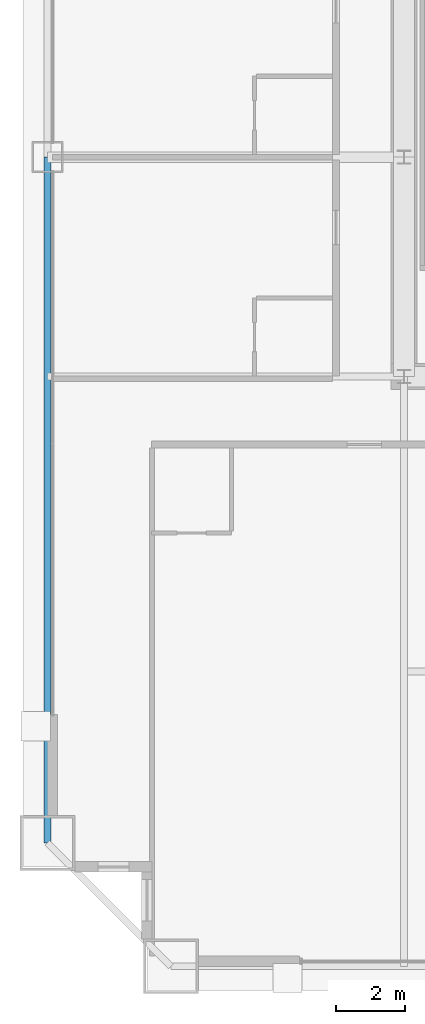
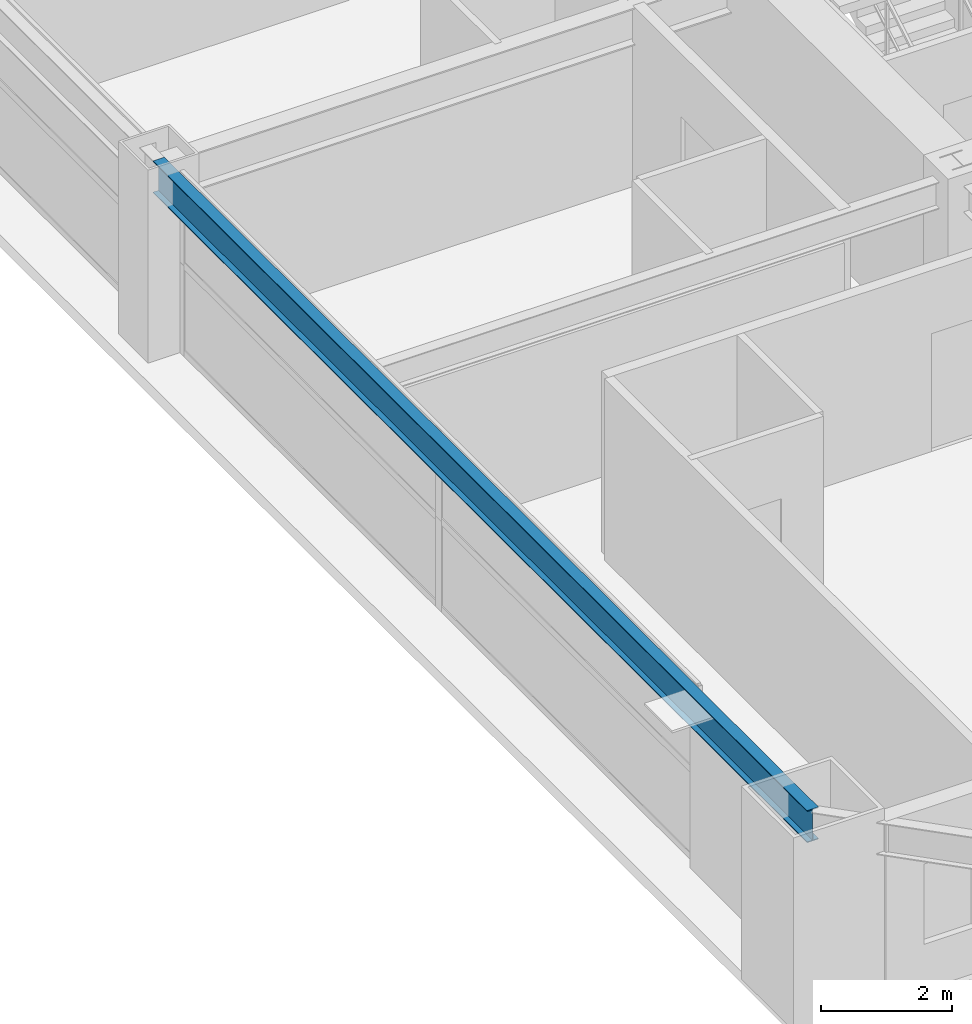
# One storey, part 7 of 39: 1 beam.
"""IFC4 building model written with IfcOpenShell, lengths in metres."""

from ifc_helpers import new_model, si_unit, direction, frame, origin, origin_2d, place, context, subcontext, project, spatial, i_section, extrude, source, transform, mapped, material, material_profile, profile_set, type_object, element, save


model = new_model("IFC4")

# Units and contexts
model_context = context("Model", 3, precision=1e-05, world=origin(), true_north=direction((0.0, 1.0)))
body_context = subcontext(model_context, "Body", "Model", "MODEL_VIEW")
ifc_project = project(units=[si_unit("LENGTHUNIT", "METRE"), si_unit("AREAUNIT", "SQUARE_METRE"), si_unit("VOLUMEUNIT", "CUBIC_METRE"), si_unit("PLANEANGLEUNIT", "RADIAN"), si_unit("MASSUNIT", "GRAM", prefix="KILO"), si_unit("THERMODYNAMICTEMPERATUREUNIT", "KELVIN"), si_unit("POWERUNIT", "WATT")], contexts=[model_context])

# Site, building, storey
site_placement = place(None, origin())
site = spatial("IfcSite", under=ifc_project, at=site_placement, CompositionType="ELEMENT")
building_placement = place(site_placement, origin())
building = spatial("IfcBuilding", under=site, at=building_placement, Name="Yuzanri Waterfront Tower", CompositionType="ELEMENT")
storey_placement = place(building_placement, frame((0.0, 0.0, 134.39990234375)))
storey = spatial("IfcBuildingStorey", under=building, at=storey_placement, Name="L35", CompositionType="ELEMENT", Elevation=134.39990234375)

# Beam
ifc_material = material(Name="Steel Q355B", Category="steel")
ifc_material_profile = material_profile(ifc_material, i_section(OverallWidth=0.199951171875, OverallDepth=0.60009765625, WebThickness=0.010986328125, FlangeThickness=0.01708984375, at=origin_2d()), Name="HN 600x200x11x17")
ifc_profile_set = profile_set([ifc_material_profile], Name="Steel Q355B")
beam_type = type_object("IfcBeamType", Name="Perimeter Spandrel Q355B HN 600x200", PredefinedType="SPANDREL", material=ifc_profile_set)
shared_shape = source(origin(), body_context, "Body", "SweptSolid", [
    extrude(i_section(OverallWidth=0.199951171875, OverallDepth=0.60009765625, WebThickness=0.010986328125, FlangeThickness=0.01708984375, at=origin_2d()), origin(), (0.0, 0.0, 1.0), 20.0),
])
beam_placement = place(storey_placement, frame((13.39990234375, 25.800048828125, 3.080078125), z_axis=(0.0, -1.0, 0.0), x_axis=(1.0, 0.0, 0.0)))
element("IfcBeam", 1, at=beam_placement, inside=storey, type_object=beam_type, Name="L35 Perimeter Spandrel W2-W1", PredefinedType="SPANDREL", context=body_context, shape_type="MappedRepresentation", body=[
    mapped(shared_shape, transform((0.0, 0.0, 0.0), scale=1.0)),
])

save(model, "model.ifc")
